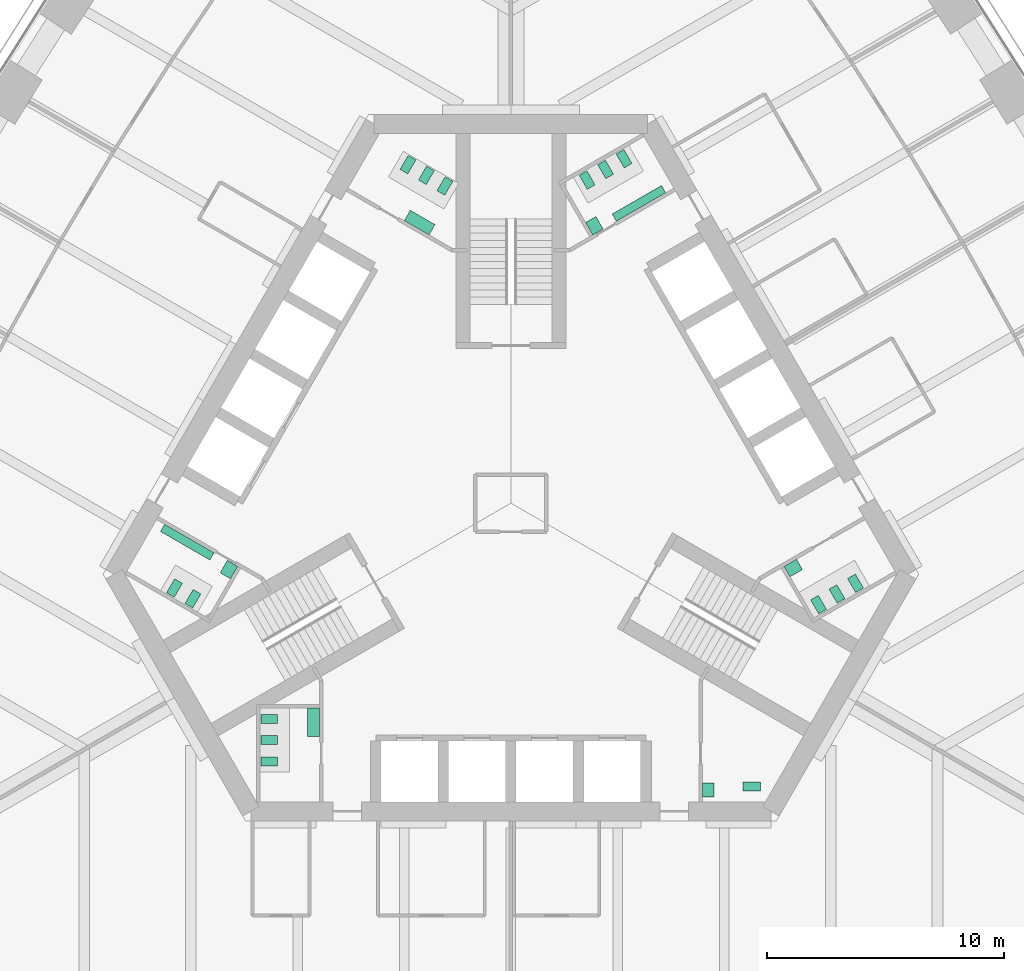
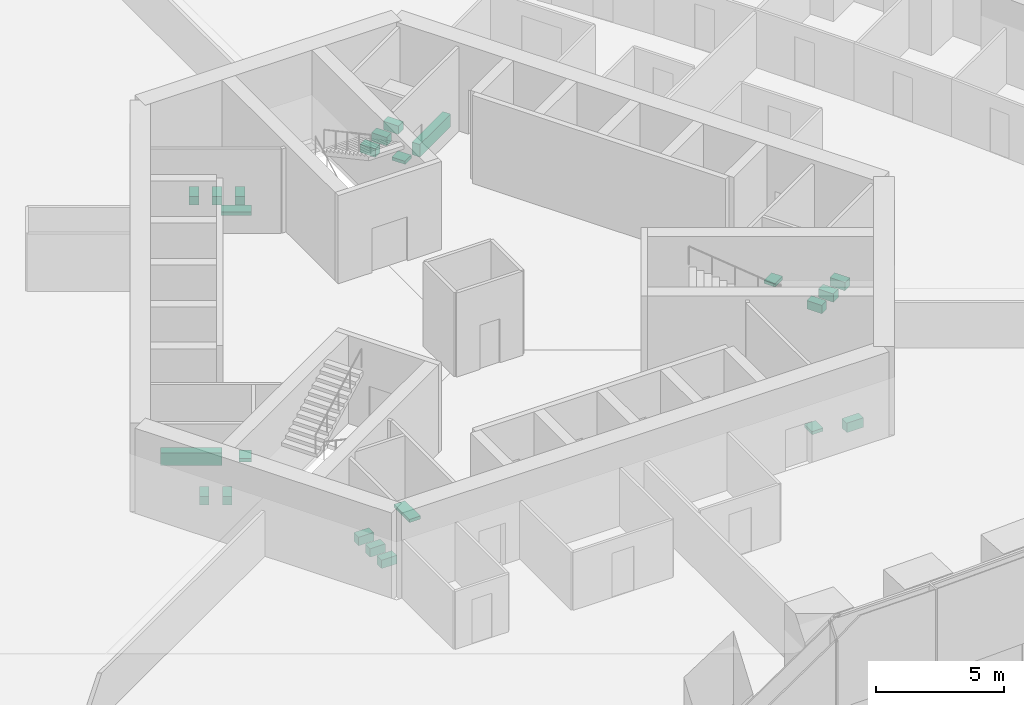
# One storey, part 18 of 19: 23 sanitary terminals.
"""IFC4 building model written with IfcOpenShell, lengths in metres."""

from ifc_helpers import new_model, si_unit, direction, frame, origin, place, context, subcontext, project, spatial, polyline, outline, extrude, material, type_object, element, save


model = new_model("IFC4")

# Units and contexts
model_context = context("Model", 3, precision=1e-05, world=origin(), true_north=direction((0.0, 1.0)))
body_context = subcontext(model_context, "Body", "Model", "MODEL_VIEW")
ifc_project = project(units=[si_unit("LENGTHUNIT", "METRE"), si_unit("AREAUNIT", "SQUARE_METRE"), si_unit("VOLUMEUNIT", "CUBIC_METRE"), si_unit("PLANEANGLEUNIT", "RADIAN"), si_unit("MASSUNIT", "GRAM", prefix="KILO")], contexts=[model_context])

# Site, building, storey
site_placement = place(None, origin())
site = spatial("IfcSite", under=ifc_project, at=site_placement, CompositionType="ELEMENT")
building_placement = place(site_placement, origin())
building = spatial("IfcBuilding", under=site, at=building_placement, Name="Trefoil Bronze Tower", CompositionType="ELEMENT")
storey_placement = place(building_placement, frame((0.0, 0.0, 79.5)))
storey = spatial("IfcBuildingStorey", under=building, at=storey_placement, Name="L18", CompositionType="ELEMENT", Elevation=79.5)

# Sanitary terminals
ifc_material_1 = material(Name="Vitreous china", Category="ceramic")
sanitary_terminal_type_1 = type_object("IfcSanitaryTerminalType", Name="Accessible WC pan", PredefinedType="TOILETPAN", material=ifc_material_1)
sanitary_terminal_1_placement = place(storey_placement, origin())
element("IfcSanitaryTerminal", 1, at=sanitary_terminal_1_placement, inside=storey, type_object=sanitary_terminal_type_1, Name="WC pan 1 Accessible WC L18", PredefinedType="TOILETPAN", context=body_context, shape_type="SweptSolid", body=[
    extrude(outline(polyline([(9.784912109375, -11.77001953125), (10.534912109375, -11.77001953125), (10.534912109375, -12.14990234375), (9.784912109375, -12.14990234375), (9.784912109375, -11.77001953125)])), origin(), (0.0, 0.0, 1.0), 0.449951171875),
])
ifc_material_2 = material(Name="Vitreous china", Category="ceramic")
sanitary_terminal_type_2 = type_object("IfcSanitaryTerminalType", Name="Accessible basin", PredefinedType="WASHHANDBASIN", material=ifc_material_2)
sanitary_terminal_2_placement = place(storey_placement, frame((0.0, 0.0, 0.64990234375)))
element("IfcSanitaryTerminal", 2, at=sanitary_terminal_2_placement, inside=storey, type_object=sanitary_terminal_type_2, Name="Wash basin Accessible WC L18", PredefinedType="WASHHANDBASIN", context=body_context, shape_type="SweptSolid", body=[
    extrude(outline(polyline([(8.074951171875, -11.800048828125), (8.574951171875, -11.800048828125), (8.574951171875, -12.39990234375), (8.074951171875, -12.39990234375), (8.074951171875, -11.800048828125)])), origin(), (0.0, 0.0, 1.0), 0.150146484375),
])
ifc_material_3 = material(Name="Vitreous china", Category="ceramic")
sanitary_terminal_type_3 = type_object("IfcSanitaryTerminalType", Name="Urinal range 4 urinals", PredefinedType="URINAL", material=ifc_material_3)
sanitary_terminal_3_placement = place(storey_placement, frame((0.0, 0.0, 0.39990234375)))
element("IfcSanitaryTerminal", 3, at=sanitary_terminal_3_placement, inside=storey, type_object=sanitary_terminal_type_3, Name="Urinal range WC (men) L18", PredefinedType="URINAL", context=body_context, shape_type="SweptSolid", body=[
    extrude(outline(polyline([(4.449462890625, 11.89306640625), (4.274658203125, 12.1962890625), (6.35302734375, 13.396240234375), (6.528076171875, 13.09326171875), (4.449462890625, 11.89306640625)])), origin(), (0.0, 0.0, 1.0), 0.60009765625),
])
sanitary_terminal_4_placement = place(storey_placement, frame((0.0, 0.0, 0.39990234375)))
element("IfcSanitaryTerminal", 4, at=sanitary_terminal_4_placement, inside=storey, type_object=sanitary_terminal_type_3, Name="Urinal range WC (men) L18", PredefinedType="URINAL", context=body_context, shape_type="SweptSolid", body=[
    extrude(outline(polyline([(-12.524658203125, -2.09326171875), (-12.699462890625, -2.396240234375), (-14.778076171875, -1.1962890625), (-14.60302734375, -0.89306640625), (-12.524658203125, -2.09326171875)])), origin(), (0.0, 0.0, 1.0), 0.60009765625),
])
ifc_material_4 = material(Name="Solid surface vanity", Category="plastic")
sanitary_terminal_type_4 = type_object("IfcSanitaryTerminalType", Name="Vanity unit 1 basins", PredefinedType="WASHHANDBASIN", material=ifc_material_4)
sanitary_terminal_5_placement = place(storey_placement, frame((0.0, 0.0, 0.75)))
element("IfcSanitaryTerminal", 5, at=sanitary_terminal_5_placement, inside=storey, type_object=sanitary_terminal_type_4, Name="Vanity unit WC (women) L18", PredefinedType="WASHHANDBASIN", context=body_context, shape_type="SweptSolid", body=[
    extrude(outline(polyline([(11.528564453125, -2.668212890625), (11.778564453125, -3.10107421875), (12.29833984375, -2.80126953125), (12.04833984375, -2.3681640625), (11.528564453125, -2.668212890625)])), origin(), (0.0, 0.0, 1.0), 0.14990234375),
])
sanitary_terminal_6_placement = place(storey_placement, frame((0.0, 0.0, 0.75)))
element("IfcSanitaryTerminal", 6, at=sanitary_terminal_6_placement, inside=storey, type_object=sanitary_terminal_type_4, Name="Vanity unit WC (men) L18", PredefinedType="WASHHANDBASIN", context=body_context, shape_type="SweptSolid", body=[
    extrude(outline(polyline([(3.45361328125, 11.318115234375), (3.153564453125, 11.837890625), (3.586669921875, 12.087890625), (3.88671875, 11.568115234375), (3.45361328125, 11.318115234375)])), origin(), (0.0, 0.0, 1.0), 0.14990234375),
])
sanitary_terminal_7_placement = place(storey_placement, frame((0.0, 0.0, 0.75)))
element("IfcSanitaryTerminal", 7, at=sanitary_terminal_7_placement, inside=storey, type_object=sanitary_terminal_type_4, Name="Vanity unit WC (men) L18", PredefinedType="WASHHANDBASIN", context=body_context, shape_type="SweptSolid", body=[
    extrude(outline(polyline([(-11.528564453125, -2.668212890625), (-11.82861328125, -3.187744140625), (-12.26171875, -2.937744140625), (-11.961669921875, -2.418212890625), (-11.528564453125, -2.668212890625)])), origin(), (0.0, 0.0, 1.0), 0.14990234375),
])
ifc_material_5 = material(Name="Solid surface vanity", Category="plastic")
sanitary_terminal_type_5 = type_object("IfcSanitaryTerminalType", Name="Vanity unit 2 basins", PredefinedType="WASHHANDBASIN", material=ifc_material_5)
sanitary_terminal_8_placement = place(storey_placement, frame((0.0, 0.0, 0.75)))
element("IfcSanitaryTerminal", 8, at=sanitary_terminal_8_placement, inside=storey, type_object=sanitary_terminal_type_5, Name="Vanity unit WC (women) L18", PredefinedType="WASHHANDBASIN", context=body_context, shape_type="SweptSolid", body=[
    extrude(outline(polyline([(-3.45361328125, 11.318115234375), (-3.20361328125, 11.751220703125), (-4.242919921875, 12.35107421875), (-4.492919921875, 11.918212890625), (-3.45361328125, 11.318115234375)])), origin(), (0.0, 0.0, 1.0), 0.14990234375),
])
sanitary_terminal_9_placement = place(storey_placement, frame((0.0, 0.0, 0.75)))
element("IfcSanitaryTerminal", 9, at=sanitary_terminal_9_placement, inside=storey, type_object=sanitary_terminal_type_5, Name="Vanity unit WC (women) L18", PredefinedType="WASHHANDBASIN", context=body_context, shape_type="SweptSolid", body=[
    extrude(outline(polyline([(-8.074951171875, -8.64990234375), (-8.574951171875, -8.64990234375), (-8.574951171875, -9.85009765625), (-8.074951171875, -9.85009765625), (-8.074951171875, -8.64990234375)])), origin(), (0.0, 0.0, 1.0), 0.14990234375),
])
ifc_material_6 = material(Name="Vitreous china", Category="ceramic")
sanitary_terminal_type_6 = type_object("IfcSanitaryTerminalType", Name="WC pan", PredefinedType="TOILETPAN", material=ifc_material_6)
sanitary_terminal_10_placement = place(storey_placement, origin())
element("IfcSanitaryTerminal", 10, at=sanitary_terminal_10_placement, inside=storey, type_object=sanitary_terminal_type_6, Name="WC pan 1 WC (women) L18", PredefinedType="TOILETPAN", context=body_context, shape_type="SweptSolid", body=[
    extrude(outline(polyline([(12.643798828125, -4.07958984375), (12.98388671875, -4.66845703125), (13.31298828125, -4.478515625), (12.972900390625, -3.8896484375), (12.643798828125, -4.07958984375)])), origin(), (0.0, 0.0, 1.0), 0.39990234375),
])
sanitary_terminal_11_placement = place(storey_placement, origin())
element("IfcSanitaryTerminal", 11, at=sanitary_terminal_11_placement, inside=storey, type_object=sanitary_terminal_type_6, Name="WC pan 2 WC (women) L18", PredefinedType="TOILETPAN", context=body_context, shape_type="SweptSolid", body=[
    extrude(outline(polyline([(13.423095703125, -3.629638671875), (13.76318359375, -4.218505859375), (14.09228515625, -4.028564453125), (13.752197265625, -3.439697265625), (13.423095703125, -3.629638671875)])), origin(), (0.0, 0.0, 1.0), 0.39990234375),
])
sanitary_terminal_12_placement = place(storey_placement, origin())
element("IfcSanitaryTerminal", 12, at=sanitary_terminal_12_placement, inside=storey, type_object=sanitary_terminal_type_6, Name="WC pan 3 WC (women) L18", PredefinedType="TOILETPAN", context=body_context, shape_type="SweptSolid", body=[
    extrude(outline(polyline([(14.20263671875, -3.1796875), (14.542724609375, -3.7685546875), (14.871826171875, -3.57861328125), (14.53173828125, -2.98974609375), (14.20263671875, -3.1796875)])), origin(), (0.0, 0.0, 1.0), 0.39990234375),
])
sanitary_terminal_13_placement = place(storey_placement, origin())
element("IfcSanitaryTerminal", 13, at=sanitary_terminal_13_placement, inside=storey, type_object=sanitary_terminal_type_6, Name="WC pan 1 WC (men) L18", PredefinedType="TOILETPAN", context=body_context, shape_type="SweptSolid", body=[
    extrude(outline(polyline([(3.2216796875, 13.23974609375), (2.8818359375, 13.82861328125), (3.2109375, 14.0185546875), (3.55078125, 13.4296875), (3.2216796875, 13.23974609375)])), origin(), (0.0, 0.0, 1.0), 0.39990234375),
])
sanitary_terminal_14_placement = place(storey_placement, origin())
element("IfcSanitaryTerminal", 14, at=sanitary_terminal_14_placement, inside=storey, type_object=sanitary_terminal_type_6, Name="WC pan 2 WC (men) L18", PredefinedType="TOILETPAN", context=body_context, shape_type="SweptSolid", body=[
    extrude(outline(polyline([(4.001220703125, 13.689697265625), (3.6611328125, 14.278564453125), (3.990234375, 14.468505859375), (4.330322265625, 13.879638671875), (4.001220703125, 13.689697265625)])), origin(), (0.0, 0.0, 1.0), 0.39990234375),
])
sanitary_terminal_15_placement = place(storey_placement, origin())
element("IfcSanitaryTerminal", 15, at=sanitary_terminal_15_placement, inside=storey, type_object=sanitary_terminal_type_6, Name="WC pan 3 WC (men) L18", PredefinedType="TOILETPAN", context=body_context, shape_type="SweptSolid", body=[
    extrude(outline(polyline([(4.78076171875, 14.1396484375), (4.440673828125, 14.728515625), (4.769775390625, 14.91845703125), (5.109619140625, 14.32958984375), (4.78076171875, 14.1396484375)])), origin(), (0.0, 0.0, 1.0), 0.39990234375),
])
sanitary_terminal_16_placement = place(storey_placement, origin())
element("IfcSanitaryTerminal", 16, at=sanitary_terminal_16_placement, inside=storey, type_object=sanitary_terminal_type_6, Name="WC pan 1 WC (women) L18", PredefinedType="TOILETPAN", context=body_context, shape_type="SweptSolid", body=[
    extrude(outline(polyline([(-2.788818359375, 12.98974609375), (-2.44873046875, 13.57861328125), (-2.77783203125, 13.7685546875), (-3.117919921875, 13.1796875), (-2.788818359375, 12.98974609375)])), origin(), (0.0, 0.0, 1.0), 0.39990234375),
])
sanitary_terminal_17_placement = place(storey_placement, origin())
element("IfcSanitaryTerminal", 17, at=sanitary_terminal_17_placement, inside=storey, type_object=sanitary_terminal_type_6, Name="WC pan 2 WC (women) L18", PredefinedType="TOILETPAN", context=body_context, shape_type="SweptSolid", body=[
    extrude(outline(polyline([(-3.568115234375, 13.439697265625), (-3.228271484375, 14.028564453125), (-3.557373046875, 14.218505859375), (-3.897216796875, 13.629638671875), (-3.568115234375, 13.439697265625)])), origin(), (0.0, 0.0, 1.0), 0.39990234375),
])
sanitary_terminal_18_placement = place(storey_placement, origin())
element("IfcSanitaryTerminal", 18, at=sanitary_terminal_18_placement, inside=storey, type_object=sanitary_terminal_type_6, Name="WC pan 3 WC (women) L18", PredefinedType="TOILETPAN", context=body_context, shape_type="SweptSolid", body=[
    extrude(outline(polyline([(-4.34765625, 13.8896484375), (-4.007568359375, 14.478515625), (-4.336669921875, 14.66845703125), (-4.6767578125, 14.07958984375), (-4.34765625, 13.8896484375)])), origin(), (0.0, 0.0, 1.0), 0.39990234375),
])
sanitary_terminal_19_placement = place(storey_placement, origin())
element("IfcSanitaryTerminal", 19, at=sanitary_terminal_19_placement, inside=storey, type_object=sanitary_terminal_type_6, Name="WC pan 1 WC (men) L18", PredefinedType="TOILETPAN", context=body_context, shape_type="SweptSolid", body=[
    extrude(outline(polyline([(-13.076904296875, -3.82958984375), (-13.416748046875, -4.41845703125), (-13.745849609375, -4.228515625), (-13.406005859375, -3.6396484375), (-13.076904296875, -3.82958984375)])), origin(), (0.0, 0.0, 1.0), 0.39990234375),
])
sanitary_terminal_20_placement = place(storey_placement, origin())
element("IfcSanitaryTerminal", 20, at=sanitary_terminal_20_placement, inside=storey, type_object=sanitary_terminal_type_6, Name="WC pan 2 WC (men) L18", PredefinedType="TOILETPAN", context=body_context, shape_type="SweptSolid", body=[
    extrude(outline(polyline([(-13.856201171875, -3.379638671875), (-14.1962890625, -3.968505859375), (-14.525390625, -3.778564453125), (-14.185302734375, -3.189697265625), (-13.856201171875, -3.379638671875)])), origin(), (0.0, 0.0, 1.0), 0.39990234375),
])
sanitary_terminal_21_placement = place(storey_placement, origin())
element("IfcSanitaryTerminal", 21, at=sanitary_terminal_21_placement, inside=storey, type_object=sanitary_terminal_type_6, Name="WC pan 1 WC (women) L18", PredefinedType="TOILETPAN", context=body_context, shape_type="SweptSolid", body=[
    extrude(outline(polyline([(-9.85498046875, -8.909912109375), (-10.534912109375, -8.909912109375), (-10.534912109375, -9.2900390625), (-9.85498046875, -9.2900390625), (-9.85498046875, -8.909912109375)])), origin(), (0.0, 0.0, 1.0), 0.39990234375),
])
sanitary_terminal_22_placement = place(storey_placement, origin())
element("IfcSanitaryTerminal", 22, at=sanitary_terminal_22_placement, inside=storey, type_object=sanitary_terminal_type_6, Name="WC pan 2 WC (women) L18", PredefinedType="TOILETPAN", context=body_context, shape_type="SweptSolid", body=[
    extrude(outline(polyline([(-9.85498046875, -9.81005859375), (-10.534912109375, -9.81005859375), (-10.534912109375, -10.18994140625), (-9.85498046875, -10.18994140625), (-9.85498046875, -9.81005859375)])), origin(), (0.0, 0.0, 1.0), 0.39990234375),
])
sanitary_terminal_23_placement = place(storey_placement, origin())
element("IfcSanitaryTerminal", 23, at=sanitary_terminal_23_placement, inside=storey, type_object=sanitary_terminal_type_6, Name="WC pan 3 WC (women) L18", PredefinedType="TOILETPAN", context=body_context, shape_type="SweptSolid", body=[
    extrude(outline(polyline([(-9.85498046875, -10.7099609375), (-10.534912109375, -10.7099609375), (-10.534912109375, -11.090087890625), (-9.85498046875, -11.090087890625), (-9.85498046875, -10.7099609375)])), origin(), (0.0, 0.0, 1.0), 0.39990234375),
])

save(model, "model.ifc")
